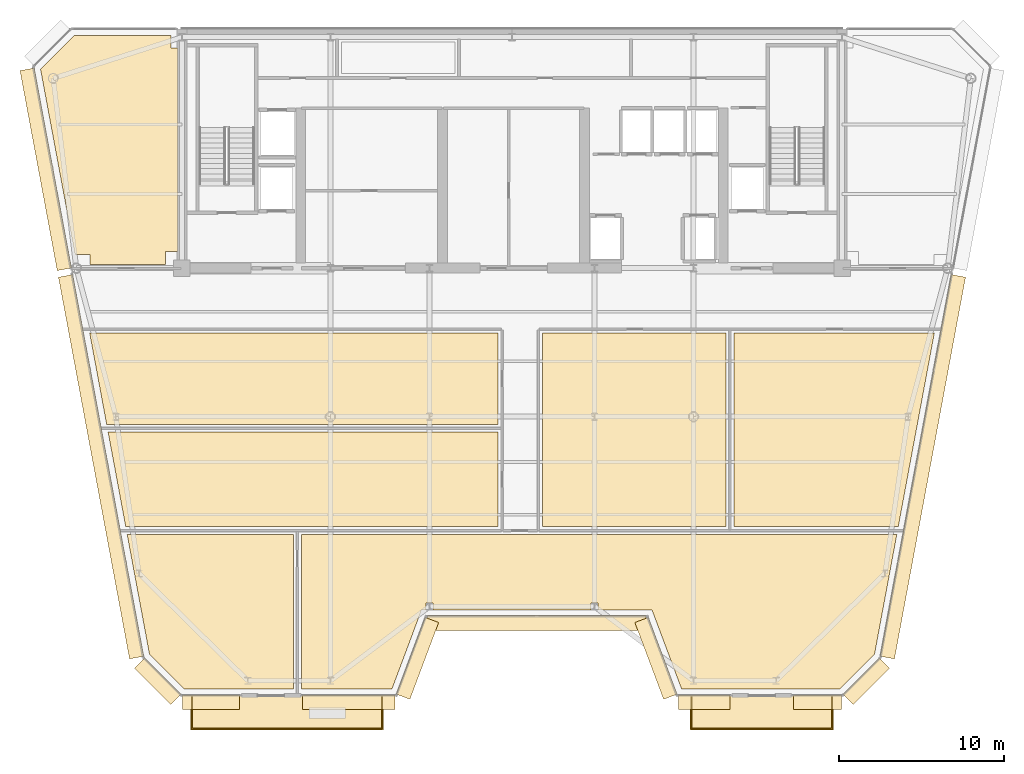
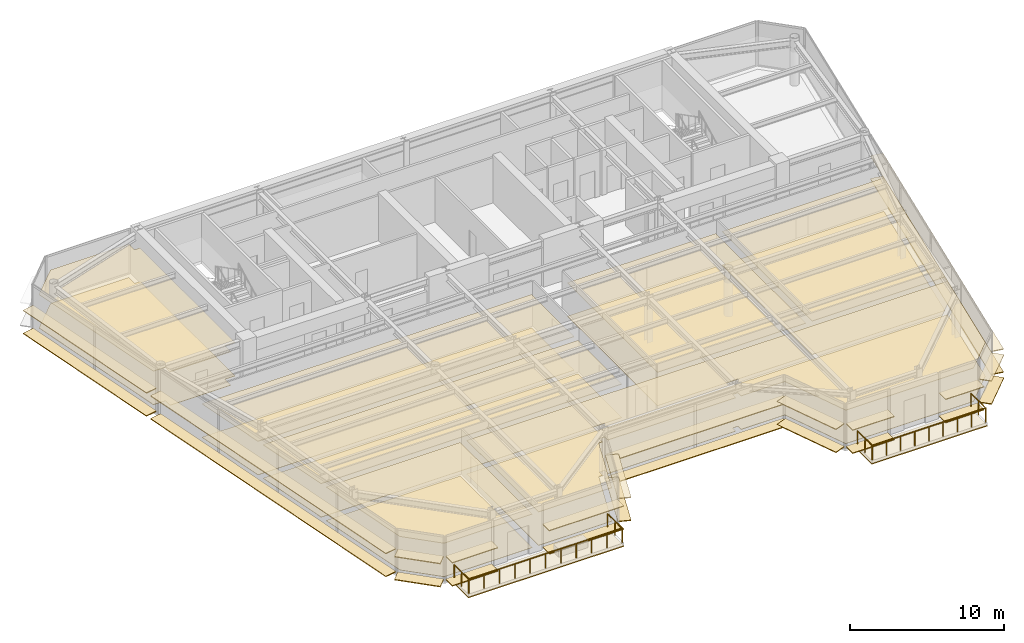
# One storey, part 11 of 14: 40 coverings, 2 railings.
"""IFC4 building model written with IfcOpenShell, lengths in metres."""

from ifc_helpers import new_model, si_unit, direction, frame, origin, origin_2d, place, context, subcontext, project, spatial, polyline, rectangle, circle, outline, extrude, source, transform, mapped, material, layer, layer_set, type_object, element, save


model = new_model("IFC4")

# Units and contexts
model_context = context("Model", 3, precision=1e-05, world=origin(), true_north=direction((0.0, 1.0)))
body_context = subcontext(model_context, "Body", "Model", "MODEL_VIEW")
ifc_project = project(units=[si_unit("LENGTHUNIT", "METRE"), si_unit("AREAUNIT", "SQUARE_METRE"), si_unit("VOLUMEUNIT", "CUBIC_METRE"), si_unit("PLANEANGLEUNIT", "RADIAN"), si_unit("MASSUNIT", "GRAM", prefix="KILO")], contexts=[model_context])

# Site, building, storey
site_placement = place(None, origin())
site = spatial("IfcSite", under=ifc_project, at=site_placement, CompositionType="ELEMENT")
building_placement = place(site_placement, origin())
building = spatial("IfcBuilding", under=site, at=building_placement, Name="Vaeldorn Concourse Tower", CompositionType="ELEMENT")
storey_placement = place(building_placement, frame((0.0, 0.0, 238.39990234375)))
storey = spatial("IfcBuildingStorey", under=building, at=storey_placement, Name="L61", CompositionType="ELEMENT", Elevation=238.39990234375)

# Coverings
ifc_material_1 = material(Name="Acoustic Mineral Fibre Board", Category="gypsum")
ifc_layer_1 = layer(ifc_material_1, 0.0400390625)
ifc_layer_set_1 = layer_set([ifc_layer_1], Name="Acoustic Mineral Fibre Board")
covering_type_1 = type_object("IfcCoveringType", Name="COV-CEIL-ACOUSTIC", PredefinedType="CEILING", material=ifc_layer_set_1)
covering_1_placement = place(storey_placement, frame((0.0, 0.0, 2.650146484375)))
element("IfcCovering", 1, at=covering_1_placement, inside=storey, type_object=covering_type_1, Name="Suspended Acoustic Ceiling L61-3", PredefinedType="CEILING", context=body_context, shape_type="SweptSolid", body=[
    extrude(outline(polyline([(7.4658203125, 50.60009765625), (13.340087890625, 50.60009765625), (13.340087890625, 49.840087890625), (13.760009765625, 49.840087890625), (13.760009765625, 37.5), (13.0, 37.5), (13.0, 36.719970703125), (8.419921875, 36.719970703125), (8.419921875, 37.320068359375), (7.52587890625, 37.320068359375), (5.431884765625, 48.566162109375), (7.4658203125, 50.60009765625)])), origin(), (0.0, 0.0, 1.0), 0.0400390625),
])
covering_2_placement = place(storey_placement, frame((0.0, 0.0, 2.650146484375)))
element("IfcCovering", 2, at=covering_2_placement, inside=storey, type_object=covering_type_1, Name="Suspended Acoustic Ceiling L61-5", PredefinedType="CEILING", context=body_context, shape_type="SweptSolid", body=[
    extrude(outline(polyline([(20.760009765625, 20.360107421875), (20.760009765625, 11.0), (14.131591796875, 11.0), (12.03662109375, 13.09521484375), (11.24609375, 17.340087890625), (11.24609375, 17.340087890625), (10.683837890625, 20.360107421875), (20.760009765625, 20.360107421875)])), origin(), (0.0, 0.0, 1.0), 0.0400390625),
])
covering_3_placement = place(storey_placement, frame((0.0, 0.0, 2.650146484375)))
element("IfcCovering", 3, at=covering_3_placement, inside=storey, type_object=covering_type_1, Name="Suspended Acoustic Ceiling L61-6", PredefinedType="CEILING", context=body_context, shape_type="SweptSolid", body=[
    extrude(outline(polyline([(26.722900390625, 11.0), (21.239990234375, 11.0), (21.239990234375, 20.360107421875), (57.316162109375, 20.360107421875), (56.936767578125, 18.322021484375), (55.96337890625, 13.09521484375), (53.868408203125, 11.0), (44.277099609375, 11.0), (42.477294921875, 15.800048828125), (39.2060546875, 15.800048828125), (39.2060546875, 16.217529296875), (38.7939453125, 16.217529296875), (38.7939453125, 15.800048828125), (29.2060546875, 15.800048828125), (29.2060546875, 16.217529296875), (28.7939453125, 16.217529296875), (28.7939453125, 15.800048828125), (28.522705078125, 15.800048828125), (26.722900390625, 11.0)])), origin(), (0.0, 0.0, 1.0), 0.0400390625),
])
covering_4_placement = place(storey_placement, frame((0.0, 0.0, 2.650146484375)))
element("IfcCovering", 4, at=covering_4_placement, inside=storey, type_object=covering_type_1, Name="Suspended Acoustic Ceiling L61-7", PredefinedType="CEILING", context=body_context, shape_type="SweptSolid", body=[
    extrude(outline(polyline([(33.159912109375, 26.56005859375), (33.159912109375, 20.840087890625), (10.594482421875, 20.840087890625), (9.529296875, 26.56005859375), (33.159912109375, 26.56005859375)])), origin(), (0.0, 0.0, 1.0), 0.0400390625),
])
covering_5_placement = place(storey_placement, frame((0.0, 0.0, 2.650146484375)))
element("IfcCovering", 5, at=covering_5_placement, inside=storey, type_object=covering_type_1, Name="Suspended Acoustic Ceiling L61-8", PredefinedType="CEILING", context=body_context, shape_type="SweptSolid", body=[
    extrude(outline(polyline([(33.159912109375, 32.56005859375), (33.159912109375, 27.0400390625), (9.43994140625, 27.0400390625), (8.412109375, 32.56005859375), (33.159912109375, 32.56005859375)])), origin(), (0.0, 0.0, 1.0), 0.0400390625),
])
covering_6_placement = place(storey_placement, frame((0.0, 0.0, 2.650146484375)))
element("IfcCovering", 6, at=covering_6_placement, inside=storey, type_object=covering_type_1, Name="Suspended Acoustic Ceiling L61-9", PredefinedType="CEILING", context=body_context, shape_type="SweptSolid", body=[
    extrude(outline(polyline([(35.840087890625, 32.56005859375), (46.9599609375, 32.56005859375), (46.9599609375, 20.840087890625), (35.840087890625, 20.840087890625), (35.840087890625, 32.56005859375)])), origin(), (0.0, 0.0, 1.0), 0.0400390625),
])
covering_7_placement = place(storey_placement, frame((0.0, 0.0, 2.650146484375)))
element("IfcCovering", 7, at=covering_7_placement, inside=storey, type_object=covering_type_1, Name="Suspended Acoustic Ceiling L61-10", PredefinedType="CEILING", context=body_context, shape_type="SweptSolid", body=[
    extrude(outline(polyline([(47.43994140625, 20.840087890625), (47.43994140625, 32.56005859375), (59.587890625, 32.56005859375), (57.405517578125, 20.840087890625), (47.43994140625, 20.840087890625)])), origin(), (0.0, 0.0, 1.0), 0.0400390625),
])
ifc_material_2 = material(Name="Honed Limestone Terrazzo Flooring", Category="masonry")
ifc_layer_2 = layer(ifc_material_2, 0.0400390625)
ifc_layer_set_2 = layer_set([ifc_layer_2], Name="Honed Limestone Terrazzo Flooring")
covering_type_2 = type_object("IfcCoveringType", Name="COV-FLOOR-STONE", PredefinedType="FLOORING", material=ifc_layer_set_2)
covering_8_placement = place(storey_placement, origin())
element("IfcCovering", 8, at=covering_8_placement, inside=storey, type_object=covering_type_2, Name="Floor Finish Covering L61-3", PredefinedType="FLOORING", context=body_context, shape_type="SweptSolid", body=[
    extrude(outline(polyline([(7.4658203125, 50.60009765625), (13.340087890625, 50.60009765625), (13.340087890625, 49.840087890625), (13.760009765625, 49.840087890625), (13.760009765625, 37.5), (13.0, 37.5), (13.0, 36.719970703125), (8.419921875, 36.719970703125), (8.419921875, 37.320068359375), (7.52587890625, 37.320068359375), (5.431884765625, 48.566162109375), (7.4658203125, 50.60009765625)])), origin(), (0.0, 0.0, 1.0), 0.030029296875),
])
covering_9_placement = place(storey_placement, origin())
element("IfcCovering", 9, at=covering_9_placement, inside=storey, type_object=covering_type_2, Name="Floor Finish Covering L61-5", PredefinedType="FLOORING", context=body_context, shape_type="SweptSolid", body=[
    extrude(outline(polyline([(20.760009765625, 20.360107421875), (20.760009765625, 11.0), (14.131591796875, 11.0), (12.03662109375, 13.09521484375), (11.24609375, 17.340087890625), (11.24609375, 17.340087890625), (10.683837890625, 20.360107421875), (20.760009765625, 20.360107421875)])), origin(), (0.0, 0.0, 1.0), 0.030029296875),
])
covering_10_placement = place(storey_placement, origin())
element("IfcCovering", 10, at=covering_10_placement, inside=storey, type_object=covering_type_2, Name="Floor Finish Covering L61-6", PredefinedType="FLOORING", context=body_context, shape_type="SweptSolid", body=[
    extrude(outline(polyline([(26.722900390625, 11.0), (21.239990234375, 11.0), (21.239990234375, 20.360107421875), (57.316162109375, 20.360107421875), (56.936767578125, 18.322021484375), (55.96337890625, 13.09521484375), (53.868408203125, 11.0), (44.277099609375, 11.0), (42.477294921875, 15.800048828125), (39.2060546875, 15.800048828125), (39.2060546875, 16.217529296875), (38.7939453125, 16.217529296875), (38.7939453125, 15.800048828125), (29.2060546875, 15.800048828125), (29.2060546875, 16.217529296875), (28.7939453125, 16.217529296875), (28.7939453125, 15.800048828125), (28.522705078125, 15.800048828125), (26.722900390625, 11.0)])), origin(), (0.0, 0.0, 1.0), 0.030029296875),
])
covering_11_placement = place(storey_placement, origin())
element("IfcCovering", 11, at=covering_11_placement, inside=storey, type_object=covering_type_2, Name="Floor Finish Covering L61-7", PredefinedType="FLOORING", context=body_context, shape_type="SweptSolid", body=[
    extrude(outline(polyline([(33.159912109375, 26.56005859375), (33.159912109375, 20.840087890625), (10.594482421875, 20.840087890625), (9.529296875, 26.56005859375), (33.159912109375, 26.56005859375)])), origin(), (0.0, 0.0, 1.0), 0.030029296875),
])
covering_12_placement = place(storey_placement, origin())
element("IfcCovering", 12, at=covering_12_placement, inside=storey, type_object=covering_type_2, Name="Floor Finish Covering L61-8", PredefinedType="FLOORING", context=body_context, shape_type="SweptSolid", body=[
    extrude(outline(polyline([(33.159912109375, 32.56005859375), (33.159912109375, 27.0400390625), (9.43994140625, 27.0400390625), (8.412109375, 32.56005859375), (33.159912109375, 32.56005859375)])), origin(), (0.0, 0.0, 1.0), 0.030029296875),
])
covering_13_placement = place(storey_placement, origin())
element("IfcCovering", 13, at=covering_13_placement, inside=storey, type_object=covering_type_2, Name="Floor Finish Covering L61-9", PredefinedType="FLOORING", context=body_context, shape_type="SweptSolid", body=[
    extrude(outline(polyline([(35.840087890625, 32.56005859375), (46.9599609375, 32.56005859375), (46.9599609375, 20.840087890625), (35.840087890625, 20.840087890625), (35.840087890625, 32.56005859375)])), origin(), (0.0, 0.0, 1.0), 0.030029296875),
])
covering_14_placement = place(storey_placement, origin())
element("IfcCovering", 14, at=covering_14_placement, inside=storey, type_object=covering_type_2, Name="Floor Finish Covering L61-10", PredefinedType="FLOORING", context=body_context, shape_type="SweptSolid", body=[
    extrude(outline(polyline([(47.43994140625, 20.840087890625), (47.43994140625, 32.56005859375), (59.587890625, 32.56005859375), (57.405517578125, 20.840087890625), (47.43994140625, 20.840087890625)])), origin(), (0.0, 0.0, 1.0), 0.030029296875),
])
ifc_material_3 = material(Name="EPDM Waterproof Membrane and Insulation", Category="plastic")
ifc_layer_3 = layer(ifc_material_3, 0.080078125)
ifc_layer_set_3 = layer_set([ifc_layer_3], Name="EPDM Waterproof Membrane and Insulation")
covering_type_3 = type_object("IfcCoveringType", Name="COV-ROOFING-EPDM", PredefinedType="ROOFING", material=ifc_layer_set_3)
covering_15_placement = place(storey_placement, frame((0.0, 0.0, -0.2998046875)))
element("IfcCovering", 15, at=covering_15_placement, inside=storey, type_object=covering_type_3, Name="Sky Garden Waterproofing Membrane L61-1", PredefinedType="ROOFING", context=body_context, shape_type="SweptSolid", body=[
    extrude(outline(polyline([(14.529052734375, 8.52001953125), (26.199951171875, 8.52001953125), (26.199951171875, 10.580078125), (14.529052734375, 10.580078125), (14.529052734375, 8.52001953125)])), origin(), (0.0, 0.0, 1.0), 0.079833984375),
])
covering_16_placement = place(storey_placement, frame((0.0, 0.0, -0.2998046875)))
element("IfcCovering", 16, at=covering_16_placement, inside=storey, type_object=covering_type_3, Name="Sky Garden Waterproofing Membrane L61-2", PredefinedType="ROOFING", context=body_context, shape_type="SweptSolid", body=[
    extrude(outline(polyline([(44.800048828125, 8.52001953125), (53.470947265625, 8.52001953125), (53.470947265625, 10.580078125), (44.800048828125, 10.580078125), (44.800048828125, 8.52001953125)])), origin(), (0.0, 0.0, 1.0), 0.079833984375),
])

# Railings
ifc_material_4 = material(Name="Anodised Bronze Aluminium", Category="aluminium")
railing_type = type_object("IfcRailingType", Name="RL-BALUSTRADE-1150", PredefinedType="BALUSTRADE", material=ifc_material_4)
railing_1_placement = place(storey_placement, frame((14.60888671875, 10.5, 0.0)))
element("IfcRailing", 17, at=railing_1_placement, inside=storey, type_object=railing_type, Name="Sawtooth Sky Garden Balustrade L61-1", PredefinedType="BALUSTRADE", context=body_context, shape_type="SweptSolid", body=[
    extrude(circle(Radius=0.02392578125, at=origin_2d()), frame((0.0, 0.0, 1.1259765625), z_axis=(0.0, -1.0, 0.0), x_axis=(1.0, 0.0, 0.0)), (0.0, 0.0, 1.0), 1.89990234375),
    extrude(circle(Radius=0.02392578125, at=origin_2d()), frame((0.0, -1.89990234375, 1.1259765625), z_axis=(1.0, 0.0, 0.0), x_axis=(0.0, 1.0, 0.0)), (0.0, 0.0, 1.0), 11.51123046875),
    extrude(circle(Radius=0.02392578125, at=origin_2d()), frame((11.51123046875, -1.89990234375, 1.1259765625), z_axis=(0.0, 1.0, 0.0), x_axis=(-1.0, 0.0, 0.0)), (0.0, 0.0, 1.0), 1.89990234375),
    extrude(circle(Radius=0.02099609375, at=origin_2d()), origin(), (0.0, 0.0, 1.0), 1.101806640625),
    extrude(circle(Radius=0.02099609375, at=origin_2d()), frame((0.0, -0.949951171875, 0.0)), (0.0, 0.0, 1.0), 1.101806640625),
    extrude(circle(Radius=0.02099609375, at=origin_2d()), frame((0.0, -1.89990234375, 0.0)), (0.0, 0.0, 1.0), 1.101806640625),
    extrude(circle(Radius=0.02099609375, at=origin_2d()), frame((1.151123046875, -1.89990234375, 0.0)), (0.0, 0.0, 1.0), 1.101806640625),
    extrude(circle(Radius=0.02099609375, at=origin_2d()), frame((2.30224609375, -1.89990234375, 0.0)), (0.0, 0.0, 1.0), 1.101806640625),
    extrude(circle(Radius=0.02099609375, at=origin_2d()), frame((3.453369140625, -1.89990234375, 0.0)), (0.0, 0.0, 1.0), 1.101806640625),
    extrude(circle(Radius=0.02099609375, at=origin_2d()), frame((4.6044921875, -1.89990234375, 0.0)), (0.0, 0.0, 1.0), 1.101806640625),
    extrude(circle(Radius=0.02099609375, at=origin_2d()), frame((5.755615234375, -1.89990234375, 0.0)), (0.0, 0.0, 1.0), 1.101806640625),
    extrude(circle(Radius=0.02099609375, at=origin_2d()), frame((6.90673828125, -1.89990234375, 0.0)), (0.0, 0.0, 1.0), 1.101806640625),
    extrude(circle(Radius=0.02099609375, at=origin_2d()), frame((8.057861328125, -1.89990234375, 0.0)), (0.0, 0.0, 1.0), 1.101806640625),
    extrude(circle(Radius=0.02099609375, at=origin_2d()), frame((9.208984375, -1.89990234375, 0.0)), (0.0, 0.0, 1.0), 1.101806640625),
    extrude(circle(Radius=0.02099609375, at=origin_2d()), frame((10.360107421875, -1.89990234375, 0.0)), (0.0, 0.0, 1.0), 1.101806640625),
    extrude(circle(Radius=0.02099609375, at=origin_2d()), frame((11.51123046875, -1.89990234375, 0.0)), (0.0, 0.0, 1.0), 1.101806640625),
    extrude(circle(Radius=0.02099609375, at=origin_2d()), frame((11.51123046875, -0.949951171875, 0.0)), (0.0, 0.0, 1.0), 1.101806640625),
    extrude(circle(Radius=0.02099609375, at=origin_2d()), frame((11.51123046875, 0.0, 0.0)), (0.0, 0.0, 1.0), 1.101806640625),
])
railing_2_placement = place(storey_placement, frame((44.8798828125, 10.5, 0.0)))
element("IfcRailing", 18, at=railing_2_placement, inside=storey, type_object=railing_type, Name="Sawtooth Sky Garden Balustrade L61-2", PredefinedType="BALUSTRADE", context=body_context, shape_type="SweptSolid", body=[
    extrude(circle(Radius=0.02392578125, at=origin_2d()), frame((0.0, 0.0, 1.1259765625), z_axis=(0.0, -1.0, 0.0), x_axis=(1.0, 0.0, 0.0)), (0.0, 0.0, 1.0), 1.89990234375),
    extrude(circle(Radius=0.02392578125, at=origin_2d()), frame((0.0, -1.89990234375, 1.1259765625), z_axis=(1.0, 0.0, 0.0), x_axis=(0.0, 1.0, 0.0)), (0.0, 0.0, 1.0), 8.51123046875),
    extrude(circle(Radius=0.02392578125, at=origin_2d()), frame((8.51123046875, -1.89990234375, 1.1259765625), z_axis=(0.0, 1.0, 0.0), x_axis=(-1.0, 0.0, 0.0)), (0.0, 0.0, 1.0), 1.89990234375),
    extrude(circle(Radius=0.02099609375, at=origin_2d()), origin(), (0.0, 0.0, 1.0), 1.101806640625),
    extrude(circle(Radius=0.02099609375, at=origin_2d()), frame((0.0, -0.949951171875, 0.0)), (0.0, 0.0, 1.0), 1.101806640625),
    extrude(circle(Radius=0.02099609375, at=origin_2d()), frame((0.0, -1.89990234375, 0.0)), (0.0, 0.0, 1.0), 1.101806640625),
    extrude(circle(Radius=0.02099609375, at=origin_2d()), frame((1.06396484375, -1.89990234375, 0.0)), (0.0, 0.0, 1.0), 1.101806640625),
    extrude(circle(Radius=0.02099609375, at=origin_2d()), frame((2.1279296875, -1.89990234375, 0.0)), (0.0, 0.0, 1.0), 1.101806640625),
    extrude(circle(Radius=0.02099609375, at=origin_2d()), frame((3.191650390625, -1.89990234375, 0.0)), (0.0, 0.0, 1.0), 1.101806640625),
    extrude(circle(Radius=0.02099609375, at=origin_2d()), frame((4.255615234375, -1.89990234375, 0.0)), (0.0, 0.0, 1.0), 1.101806640625),
    extrude(circle(Radius=0.02099609375, at=origin_2d()), frame((5.319580078125, -1.89990234375, 0.0)), (0.0, 0.0, 1.0), 1.101806640625),
    extrude(circle(Radius=0.02099609375, at=origin_2d()), frame((6.38330078125, -1.89990234375, 0.0)), (0.0, 0.0, 1.0), 1.101806640625),
    extrude(circle(Radius=0.02099609375, at=origin_2d()), frame((7.447265625, -1.89990234375, 0.0)), (0.0, 0.0, 1.0), 1.101806640625),
    extrude(circle(Radius=0.02099609375, at=origin_2d()), frame((8.51123046875, -1.89990234375, 0.0)), (0.0, 0.0, 1.0), 1.101806640625),
    extrude(circle(Radius=0.02099609375, at=origin_2d()), frame((8.51123046875, -0.949951171875, 0.0)), (0.0, 0.0, 1.0), 1.101806640625),
    extrude(circle(Radius=0.02099609375, at=origin_2d()), frame((8.51123046875, 0.0, 0.0)), (0.0, 0.0, 1.0), 1.101806640625),
])

# Coverings
ifc_layer_4 = layer(ifc_material_4, 0.06494140625)
ifc_layer_set_4 = layer_set([ifc_layer_4], Name="Anodised Bronze Aluminium")
covering_type_4 = type_object("IfcCoveringType", Name="SD-BRONZE-SUNSHADE", PredefinedType="USERDEFINED", material=ifc_layer_set_4)
shared_shape_1 = source(origin(), body_context, "Body", "SweptSolid", [
    extrude(rectangle(XDim=4.96630859375, YDim=0.8798828125, at=origin_2d()), origin(), (0.0, 0.0, 1.0), 0.06494140625),
])
for number, where, z_axis, x_axis, name in (
    (19, (28.2744140625, 12.859619140625, 0.047607421875), (0.0, 0.0, 1.0), (0.351122702609, 0.936329454686, 0.0), "Horizontal Bronze Sunshade L61-E02.1.1"),
    (20, (28.2744140625, 12.859619140625, 1.86767578125), (0.0, 0.0, 1.0), (0.351122702609, 0.936329454686, 0.0), "Horizontal Bronze Sunshade L61-E02.1.2"),
    (21, (42.7255859375, 12.859619140625, 0.047607421875), (0.0, 0.0, 1.0), (0.351122702609, -0.936329454686, 0.0), "Horizontal Bronze Sunshade L61-E04.1.1"),
    (22, (42.7255859375, 12.859619140625, 1.86767578125), (0.0, 0.0, 1.0), (0.351122702609, -0.936329454686, 0.0), "Horizontal Bronze Sunshade L61-E04.1.2"),
):
    element("IfcCovering", number, at=place(storey_placement, frame(where, z_axis=z_axis, x_axis=x_axis)), inside=storey, type_object=covering_type_4, Name=name, ObjectType="SUNSHADE", PredefinedType="USERDEFINED", context=body_context, shape_type="MappedRepresentation", body=[
        mapped(shared_shape_1, transform((0.0, 0.0, 0.0), scale=1.0)),
    ])
shared_shape_2 = source(origin(), body_context, "Body", "SweptSolid", [
    extrude(rectangle(XDim=13.239990234375, YDim=0.8798828125, at=origin_2d()), origin(), (0.0, 0.0, 1.0), 0.06494140625),
])
for number, where, z_axis, x_axis, name in (
    (23, (35.5, 15.0, 0.047607421875), (0.0, 0.0, 1.0), (1.0, 0.0, 0.0), "Horizontal Bronze Sunshade L61-E03.1.1"),
    (24, (35.5, 15.0, 1.86767578125), (0.0, 0.0, 1.0), (1.0, 0.0, 0.0), "Horizontal Bronze Sunshade L61-E03.1.2"),
):
    element("IfcCovering", number, at=place(storey_placement, frame(where, z_axis=z_axis, x_axis=x_axis)), inside=storey, type_object=covering_type_4, Name=name, ObjectType="SUNSHADE", PredefinedType="USERDEFINED", context=body_context, shape_type="MappedRepresentation", body=[
        mapped(shared_shape_2, transform((0.0, 0.0, 0.0), scale=1.0)),
    ])
shared_shape_3 = source(origin(), body_context, "Body", "SweptSolid", [
    extrude(rectangle(XDim=3.0927734375, YDim=0.8798828125, at=origin_2d()), origin(), (0.0, 0.0, 1.0), 0.06494140625),
])
for number, where, z_axis, x_axis, name in (
    (25, (55.466796875, 11.46728515625, 0.047607421875), (0.0, 0.0, 1.0), (0.707106781187, 0.707106781187, 0.0), "Horizontal Bronze Sunshade L61-E06.1.1"),
    (26, (55.466796875, 11.46728515625, 1.86767578125), (0.0, 0.0, 1.0), (0.707106781187, 0.707106781187, 0.0), "Horizontal Bronze Sunshade L61-E06.1.2"),
    (27, (12.533203125, 11.46728515625, 0.047607421875), (0.0, 0.0, 1.0), (0.707106781187, -0.707106781187, 0.0), "Horizontal Bronze Sunshade L61-E12.1.1"),
    (28, (12.533203125, 11.46728515625, 1.86767578125), (0.0, 0.0, 1.0), (0.707106781187, -0.707106781187, 0.0), "Horizontal Bronze Sunshade L61-E12.1.2"),
):
    element("IfcCovering", number, at=place(storey_placement, frame(where, z_axis=z_axis, x_axis=x_axis)), inside=storey, type_object=covering_type_4, Name=name, ObjectType="SUNSHADE", PredefinedType="USERDEFINED", context=body_context, shape_type="MappedRepresentation", body=[
        mapped(shared_shape_3, transform((0.0, 0.0, 0.0), scale=1.0)),
    ])
shared_shape_4 = source(origin(), body_context, "Body", "SweptSolid", [
    extrude(rectangle(XDim=3.43408203125, YDim=0.8798828125, at=origin_2d()), origin(), (0.0, 0.0, 1.0), 0.06494140625),
])
for number, where, z_axis, x_axis, name in (
    (29, (15.762939453125, 10.199951171875, 0.047607421875), (0.0, 0.0, 1.0), (1.0, 0.0, 0.0), "Horizontal Bronze Sunshade L61-E01.1.1"),
    (30, (15.762939453125, 10.199951171875, 1.86767578125), (0.0, 0.0, 1.0), (1.0, 0.0, 0.0), "Horizontal Bronze Sunshade L61-E01.1.2"),
):
    element("IfcCovering", number, at=place(storey_placement, frame(where, z_axis=z_axis, x_axis=x_axis)), inside=storey, type_object=covering_type_4, Name=name, ObjectType="SUNSHADE", PredefinedType="USERDEFINED", context=body_context, shape_type="MappedRepresentation", body=[
        mapped(shared_shape_4, transform((0.0, 0.0, 0.0), scale=1.0)),
    ])
shared_shape_5 = source(origin(), body_context, "Body", "SweptSolid", [
    extrude(rectangle(XDim=5.60009765625, YDim=0.8798828125, at=origin_2d()), origin(), (0.0, 0.0, 1.0), 0.06494140625),
])
for number, where, z_axis, x_axis, name in (
    (31, (24.1201171875, 10.199951171875, 0.047607421875), (0.0, 0.0, 1.0), (1.0, 0.0, 0.0), "Horizontal Bronze Sunshade L61-E01.2.1"),
    (32, (24.1201171875, 10.199951171875, 1.86767578125), (0.0, 0.0, 1.0), (1.0, 0.0, 0.0), "Horizontal Bronze Sunshade L61-E01.2.2"),
):
    element("IfcCovering", number, at=place(storey_placement, frame(where, z_axis=z_axis, x_axis=x_axis)), inside=storey, type_object=covering_type_4, Name=name, ObjectType="SUNSHADE", PredefinedType="USERDEFINED", context=body_context, shape_type="MappedRepresentation", body=[
        mapped(shared_shape_5, transform((0.0, 0.0, 0.0), scale=1.0)),
    ])
shared_shape_6 = source(origin(), body_context, "Body", "SweptSolid", [
    extrude(rectangle(XDim=3.139892578125, YDim=0.8798828125, at=origin_2d()), origin(), (0.0, 0.0, 1.0), 0.06494140625),
])
for number, where, z_axis, x_axis, name in (
    (33, (45.64990234375, 10.199951171875, 0.047607421875), (0.0, 0.0, 1.0), (1.0, 0.0, 0.0), "Horizontal Bronze Sunshade L61-E05.1.1"),
    (34, (45.64990234375, 10.199951171875, 1.86767578125), (0.0, 0.0, 1.0), (1.0, 0.0, 0.0), "Horizontal Bronze Sunshade L61-E05.1.2"),
):
    element("IfcCovering", number, at=place(storey_placement, frame(where, z_axis=z_axis, x_axis=x_axis)), inside=storey, type_object=covering_type_4, Name=name, ObjectType="SUNSHADE", PredefinedType="USERDEFINED", context=body_context, shape_type="MappedRepresentation", body=[
        mapped(shared_shape_6, transform((0.0, 0.0, 0.0), scale=1.0)),
    ])
shared_shape_7 = source(origin(), body_context, "Body", "SweptSolid", [
    extrude(rectangle(XDim=2.89404296875, YDim=0.8798828125, at=origin_2d()), origin(), (0.0, 0.0, 1.0), 0.06494140625),
])
for number, where, z_axis, x_axis, name in (
    (35, (52.507080078125, 10.199951171875, 0.047607421875), (0.0, 0.0, 1.0), (1.0, 0.0, 0.0), "Horizontal Bronze Sunshade L61-E05.2.1"),
    (36, (52.507080078125, 10.199951171875, 1.86767578125), (0.0, 0.0, 1.0), (1.0, 0.0, 0.0), "Horizontal Bronze Sunshade L61-E05.2.2"),
):
    element("IfcCovering", number, at=place(storey_placement, frame(where, z_axis=z_axis, x_axis=x_axis)), inside=storey, type_object=covering_type_4, Name=name, ObjectType="SUNSHADE", PredefinedType="USERDEFINED", context=body_context, shape_type="MappedRepresentation", body=[
        mapped(shared_shape_7, transform((0.0, 0.0, 0.0), scale=1.0)),
    ])
shared_shape_8 = source(origin(), body_context, "Body", "SweptSolid", [
    extrude(rectangle(XDim=23.525146484375, YDim=0.8798828125, at=origin_2d()), origin(), (0.0, 0.0, 1.0), 0.06494140625),
])
for number, where, z_axis, x_axis, name in (
    (37, (58.89501953125, 24.46923828125, 0.047607421875), (0.0, 0.0, 1.0), (0.183059191151, 0.983101893262, 0.0), "Horizontal Bronze Sunshade L61-E07.1.1"),
    (38, (58.89501953125, 24.46923828125, 1.86767578125), (0.0, 0.0, 1.0), (0.183059191151, 0.983101893262, 0.0), "Horizontal Bronze Sunshade L61-E07.1.2"),
    (39, (9.10498046875, 24.46923828125, 0.047607421875), (0.0, 0.0, 1.0), (0.183059191151, -0.983101893262, 0.0), "Horizontal Bronze Sunshade L61-E11.2.1"),
    (40, (9.10498046875, 24.46923828125, 1.86767578125), (0.0, 0.0, 1.0), (0.183059191151, -0.983101893262, 0.0), "Horizontal Bronze Sunshade L61-E11.2.2"),
):
    element("IfcCovering", number, at=place(storey_placement, frame(where, z_axis=z_axis, x_axis=x_axis)), inside=storey, type_object=covering_type_4, Name=name, ObjectType="SUNSHADE", PredefinedType="USERDEFINED", context=body_context, shape_type="MappedRepresentation", body=[
        mapped(shared_shape_8, transform((0.0, 0.0, 0.0), scale=1.0)),
    ])
shared_shape_9 = source(origin(), body_context, "Body", "SweptSolid", [
    extrude(rectangle(XDim=12.322509765625, YDim=0.8798828125, at=origin_2d()), origin(), (0.0, 0.0, 1.0), 0.06494140625),
])
for number, where, z_axis, x_axis, name in (
    (41, (5.749267578125, 42.490966796875, 0.047607421875), (0.0, 0.0, 1.0), (0.183059191151, -0.983101893262, 0.0), "Horizontal Bronze Sunshade L61-E11.1.1"),
    (42, (5.749267578125, 42.490966796875, 1.86767578125), (0.0, 0.0, 1.0), (0.183059191151, -0.983101893262, 0.0), "Horizontal Bronze Sunshade L61-E11.1.2"),
):
    element("IfcCovering", number, at=place(storey_placement, frame(where, z_axis=z_axis, x_axis=x_axis)), inside=storey, type_object=covering_type_4, Name=name, ObjectType="SUNSHADE", PredefinedType="USERDEFINED", context=body_context, shape_type="MappedRepresentation", body=[
        mapped(shared_shape_9, transform((0.0, 0.0, 0.0), scale=1.0)),
    ])

save(model, "model.ifc")
